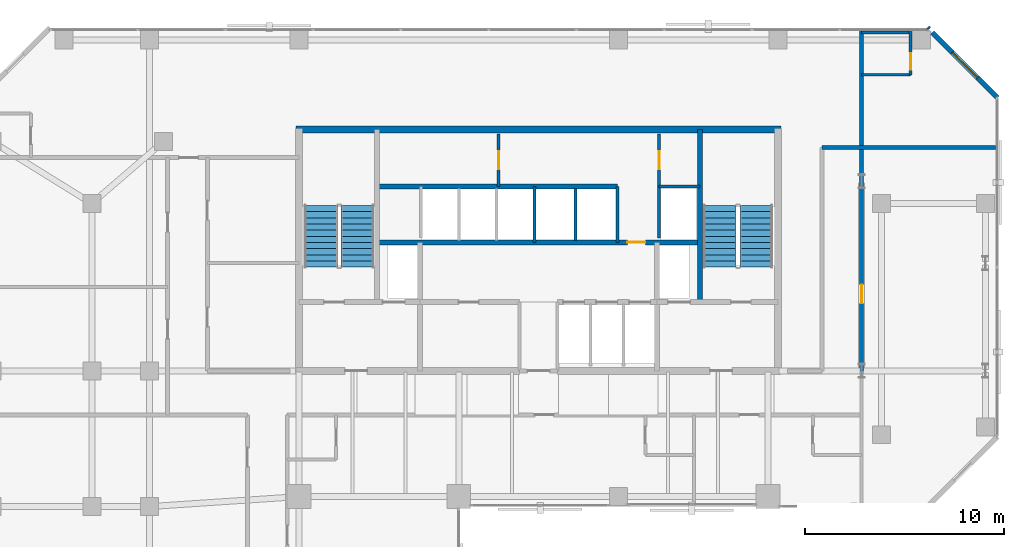
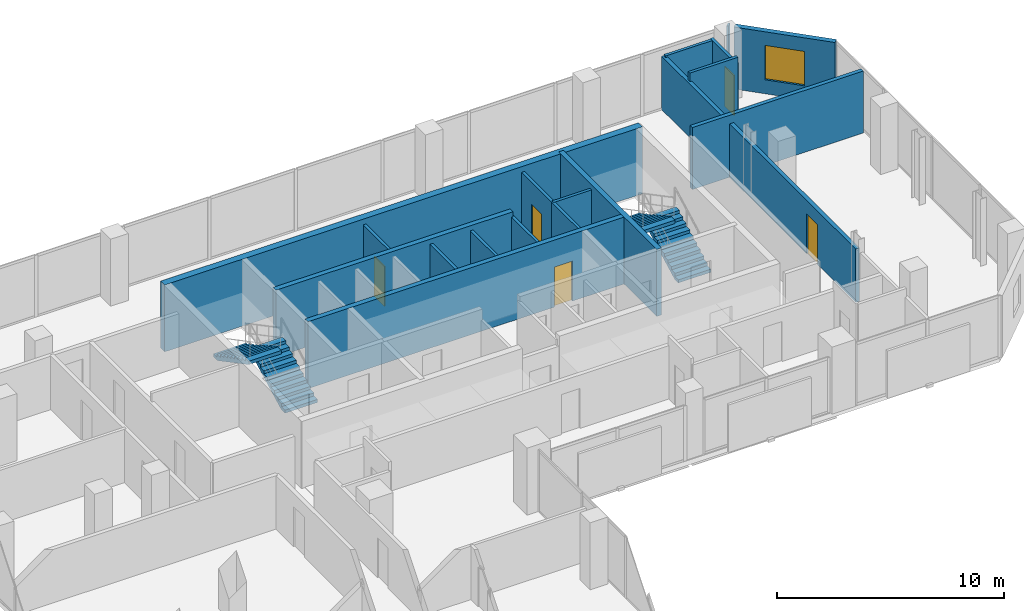
# One storey, part 30 of 33: 18 walls, 5 doors, 4 stair flights, 1 window, 6 openings, 2 elements without a shape of their own.
"""IFC4 building model written with IfcOpenShell, lengths in metres."""

from ifc_helpers import new_model, si_unit, direction, frame, frame_2d, origin, place, context, subcontext, project, spatial, polyline, rectangle, outline, extrude, material, layer, layer_set, type_object, element, fill, aggregate, save


model = new_model("IFC4")

# Units and contexts
model_context = context("Model", 3, precision=1e-05, world=origin(), true_north=direction((0.0, 1.0)))
body_context = subcontext(model_context, "Body", "Model", "MODEL_VIEW")
ifc_project = project(units=[si_unit("LENGTHUNIT", "METRE"), si_unit("AREAUNIT", "SQUARE_METRE"), si_unit("VOLUMEUNIT", "CUBIC_METRE"), si_unit("PLANEANGLEUNIT", "RADIAN"), si_unit("MASSUNIT", "GRAM", prefix="KILO")], contexts=[model_context])

# Site, building, storey
site_placement = place(None, origin())
site = spatial("IfcSite", under=ifc_project, at=site_placement, CompositionType="ELEMENT")
building_placement = place(site_placement, origin())
building = spatial("IfcBuilding", under=site, at=building_placement, Name="Catumbela Crestline Tower", CompositionType="ELEMENT")
storey_placement = place(building_placement, frame((0.0, 0.0, 100.8)))
storey = spatial("IfcBuildingStorey", under=building, at=storey_placement, Name="L25", CompositionType="ELEMENT", Elevation=100.8)

# Wall
ifc_material_1 = material(Name="Concrete C50/60", Category="concrete")
ifc_layer_1 = layer(ifc_material_1, 0.25, Name="Concrete C50/60")
ifc_layer_set_1 = layer_set([ifc_layer_1], Name="Concrete C50/60")
wall_type_1 = type_object("IfcWallType", Name="CW-250D", PredefinedType="SHEAR", material=ifc_layer_set_1)
wall_1_placement = place(storey_placement, frame((36.1, 34.25, 0.0), z_axis=(0.0, 0.0, 1.0), x_axis=(0.0, 1.0, 0.0)))
element("IfcWall", 1, at=wall_1_placement, inside=storey, type_object=wall_type_1, Name="L25 Structural Core Shear Wall EWEB", PredefinedType="SHEAR", context=body_context, shape_type="SweptSolid", body=[
    extrude(rectangle(XDim=8.65, YDim=0.25, at=frame_2d((4.325, 0.0))), origin(), (0.0, 0.0, 1.0), 3.6),
])

# Wall, opening, door
wall_2_placement = place(storey_placement, frame((19.9, 37.25, 0.0), z_axis=(0.0, 0.0, 1.0), x_axis=(1.0, 0.0, 0.0)))
wall_2 = element("IfcWall", 2, at=wall_2_placement, inside=storey, type_object=wall_type_1, Name="L25 Structural Core Shear Wall LIFTN", PredefinedType="SHEAR", context=body_context, shape_type="SweptSolid", body=[
    extrude(rectangle(XDim=16.2, YDim=0.25, at=frame_2d((8.1, 0.0))), origin(), (0.0, 0.0, 1.0), 3.6),
])
opening_1_placement = place(wall_2_placement, frame((12.55, 0.0, 0.0)))
opening_1 = element("IfcOpeningElement", 3, at=opening_1_placement, cuts=wall_2, Name="Opening DF9-090", PredefinedType="OPENING", context=body_context, shape_type="SweptSolid", body=[
    extrude(rectangle(XDim=0.9, YDim=2.15, at=frame_2d((0.45, 1.075))), frame((0.0, 0.135, 0.0), z_axis=(0.0, -1.0, 0.0), x_axis=(1.0, 0.0, 0.0)), (0.0, 0.0, 1.0), 0.27),
])
ifc_material_2 = material(Name="Stainless steel EN 1.4401", Category="steel")
door_type_1 = type_object("IfcDoorType", Name="DF9-090", OperationType="NOTDEFINED", PredefinedType="DOOR", material=ifc_material_2)
door_1_placement = place(opening_1_placement, origin())
door_1 = element("IfcDoor", 4, at=door_1_placement, inside=storey, type_object=door_type_1, Name="L25 Interior Door DR-L25-CPAS1", OperationType="SINGLE_SWING_LEFT", OverallHeight=2.15, OverallWidth=0.9, PredefinedType="DOOR", context=body_context, shape_type="SweptSolid", body=[
    extrude(rectangle(XDim=0.9, YDim=2.15, at=frame_2d((0.45, 1.075))), frame((0.0, 0.025, 0.0), z_axis=(0.0, -1.0, 0.0), x_axis=(1.0, 0.0, 0.0)), (0.0, 0.0, 1.0), 0.05),
])
fill(opening_1, door_1)

# Walls
wall_3_placement = place(storey_placement, frame((19.9, 40.05, 0.0), z_axis=(0.0, 0.0, 1.0), x_axis=(1.0, 0.0, 0.0)))
element("IfcWall", 5, at=wall_3_placement, inside=storey, type_object=wall_type_1, Name="L25 Structural Core Shear Wall COREN", PredefinedType="SHEAR", context=body_context, shape_type="SweptSolid", body=[
    extrude(rectangle(XDim=12.05, YDim=0.25, at=frame_2d((6.025, 0.0))), origin(), (0.0, 0.0, 1.0), 3.6),
])
ifc_layer_2 = layer(ifc_material_1, 0.35, Name="Concrete C50/60")
ifc_layer_set_2 = layer_set([ifc_layer_2], Name="Concrete C50/60")
wall_type_2 = type_object("IfcWallType", Name="CW-350B", PredefinedType="SHEAR", material=ifc_layer_set_2)
wall_4_placement = place(storey_placement, frame((15.85, 42.9, 0.0), z_axis=(0.0, 0.0, 1.0), x_axis=(1.0, 0.0, 0.0)))
element("IfcWall", 6, at=wall_4_placement, inside=storey, type_object=wall_type_2, Name="L25 Structural Core Shear Wall N", PredefinedType="SHEAR", context=body_context, shape_type="SweptSolid", body=[
    extrude(rectangle(XDim=24.3, YDim=0.35, at=frame_2d((12.15, 0.0))), origin(), (0.0, 0.0, 1.0), 3.6),
])
ifc_material_3 = material(Name="Acoustic gypsum and mineral-wool partition")
ifc_layer_3 = layer(ifc_material_3, 0.2, Name="Acoustic gypsum and mineral-wool partition")
ifc_layer_set_3 = layer_set([ifc_layer_3], Name="Acoustic gypsum and mineral-wool partition")
wall_type_3 = type_object("IfcWallType", Name="WC-200", PredefinedType="PARTITIONING", material=ifc_layer_set_3)
wall_5_placement = place(storey_placement, frame((42.2, 42.0, 0.0), z_axis=(0.0, 0.0, 1.0), x_axis=(1.0, 0.0, 0.0)))
element("IfcWall", 7, at=wall_5_placement, inside=storey, type_object=wall_type_3, Name="L25 Interior Partition PW-L25-Z2CW-E3", PredefinedType="PARTITIONING", context=body_context, shape_type="SweptSolid", body=[
    extrude(rectangle(XDim=8.7, YDim=0.2, at=frame_2d((4.35, 0.0))), origin(), (0.0, 0.0, 1.0), 3.33),
])

# Wall, opening, door
wall_6_placement = place(storey_placement, frame((44.2, 30.8, 0.0), z_axis=(0.0, 0.0, 1.0), x_axis=(0.0, 1.0, 0.0)))
wall_6 = element("IfcWall", 8, at=wall_6_placement, inside=storey, type_object=wall_type_3, Name="L25 Interior Partition PW-L25-SE1-ENT", PredefinedType="PARTITIONING", context=body_context, shape_type="SweptSolid", body=[
    extrude(rectangle(XDim=17.1, YDim=0.2, at=frame_2d((8.55, 0.0))), origin(), (0.0, 0.0, 1.0), 2.87),
])
opening_2_placement = place(wall_6_placement, frame((3.3825, 0.0, 0.0)))
opening_2 = element("IfcOpeningElement", 9, at=opening_2_placement, cuts=wall_6, Name="Opening DF6-095", PredefinedType="OPENING", context=body_context, shape_type="SweptSolid", body=[
    extrude(rectangle(XDim=0.95, YDim=2.15, at=frame_2d((0.475, 1.075))), frame((0.0, 0.11, 0.0), z_axis=(0.0, -1.0, 0.0), x_axis=(1.0, 0.0, 0.0)), (0.0, 0.0, 1.0), 0.22),
])
ifc_material_4 = material(Name="Aluminium alloy AW-6060-T66", Category="aluminium")
door_type_2 = type_object("IfcDoorType", Name="DF6-095", OperationType="NOTDEFINED", PredefinedType="DOOR", material=ifc_material_4)
door_2_placement = place(opening_2_placement, origin())
door_2 = element("IfcDoor", 10, at=door_2_placement, inside=storey, type_object=door_type_2, Name="L25 Interior Door DR-L25-SE1-ENT", OperationType="SINGLE_SWING_RIGHT", OverallHeight=2.15, OverallWidth=0.95, PredefinedType="DOOR", context=body_context, shape_type="SweptSolid", body=[
    extrude(rectangle(XDim=0.95, YDim=2.15, at=frame_2d((0.475, 1.075))), frame((0.0, 0.025, 0.0), z_axis=(0.0, -1.0, 0.0), x_axis=(1.0, 0.0, 0.0)), (0.0, 0.0, 1.0), 0.05),
])
fill(opening_2, door_2)

# Wall, opening, window
ifc_material_5 = material(Name="Angolan grey-ochre granite", Category="masonry")
ifc_layer_4 = layer(ifc_material_5, 0.25, Name="Angolan grey-ochre granite")
ifc_layer_set_4 = layer_set([ifc_layer_4], Name="Angolan grey-ochre granite")
wall_type_4 = type_object("IfcWallType", Name="WE-250", PredefinedType="STANDARD", material=ifc_layer_set_4)
wall_7_placement = place(storey_placement, frame((51.0, 44.5, 0.0), z_axis=(0.0, 0.0, 1.0), x_axis=(-0.707106781187, 0.707106781187, 0.0)))
wall_7 = element("IfcWall", 11, at=wall_7_placement, inside=storey, type_object=wall_type_4, Name="L25 Granite Punched Window Wall 6-1", PredefinedType="STANDARD", context=body_context, shape_type="SweptSolid", body=[
    extrude(rectangle(XDim=4.6126, YDim=0.25, at=frame_2d((2.3063, 0.0))), origin(), (0.0, 0.0, 1.0), 3.33),
])
opening_3_placement = place(wall_7_placement, frame((1.4063, 0.0, 0.75)))
opening_3 = element("IfcOpeningElement", 12, at=opening_3_placement, cuts=wall_7, Name="Opening WN-01", PredefinedType="OPENING", context=body_context, shape_type="SweptSolid", body=[
    extrude(rectangle(XDim=1.8, YDim=1.85, at=frame_2d((0.9, 0.925))), frame((0.0, 0.135, 0.0), z_axis=(0.0, -1.0, 0.0), x_axis=(1.0, 0.0, 0.0)), (0.0, 0.0, 1.0), 0.27),
])
ifc_material_6 = material(Name="Low-E laminated solar-control double glazing", Category="glass")
window_type = type_object("IfcWindowType", Name="WF-1800", PartitioningType="SINGLE_PANEL", PredefinedType="WINDOW", material=ifc_material_6)
window_placement = place(opening_3_placement, origin())
window = element("IfcWindow", 13, at=window_placement, inside=storey, type_object=window_type, Name="L25 Facade Vision Window 147", OverallHeight=1.85, OverallWidth=1.8, PartitioningType="SINGLE_PANEL", PredefinedType="WINDOW", context=body_context, shape_type="SweptSolid", body=[
    extrude(rectangle(XDim=1.8, YDim=1.85, at=frame_2d((0.9, 0.925))), frame((0.0, 0.03, 0.0), z_axis=(0.0, -1.0, 0.0), x_axis=(1.0, 0.0, 0.0)), (0.0, 0.0, 1.0), 0.06),
])
fill(opening_3, window)

# Walls
wall_8_placement = place(storey_placement, frame((47.5616, 47.9384, 0.0), z_axis=(0.0, 0.0, 1.0), x_axis=(-0.707106781187, 0.707106781187, 0.0)))
element("IfcWall", 14, at=wall_8_placement, inside=storey, type_object=wall_type_4, Name="L25 Granite Punched Window Wall 6-2", PredefinedType="STANDARD", context=body_context, shape_type="SweptSolid", body=[
    extrude(rectangle(XDim=0.0871, YDim=0.25, at=frame_2d((0.0436, 0.0))), origin(), (0.0, 0.0, 1.0), 3.33),
])
ifc_layer_5 = layer(ifc_material_3, 0.15, Name="Acoustic gypsum and mineral-wool partition")
ifc_layer_set_5 = layer_set([ifc_layer_5], Name="Acoustic gypsum and mineral-wool partition")
wall_type_5 = type_object("IfcWallType", Name="WP-150", PredefinedType="PARTITIONING", material=ifc_layer_set_5)
wall_9_placement = place(storey_placement, frame((34.05, 40.05, 0.0), z_axis=(0.0, 0.0, 1.0), x_axis=(1.0, 0.0, 0.0)))
element("IfcWall", 15, at=wall_9_placement, inside=storey, type_object=wall_type_5, Name="L25 Interior Partition PW-L25-CR-ES", PredefinedType="PARTITIONING", context=body_context, shape_type="SweptSolid", body=[
    extrude(rectangle(XDim=2.05, YDim=0.15, at=frame_2d((1.025, 0.0))), origin(), (0.0, 0.0, 1.0), 3.33),
])

# Wall, opening, door
wall_10_placement = place(storey_placement, frame((34.05, 40.05, 0.0), z_axis=(0.0, 0.0, 1.0), x_axis=(0.0, 1.0, 0.0)))
wall_10 = element("IfcWall", 16, at=wall_10_placement, inside=storey, type_object=wall_type_5, Name="L25 Interior Partition PW-L25-CR-EW", PredefinedType="PARTITIONING", context=body_context, shape_type="SweptSolid", body=[
    extrude(rectangle(XDim=2.63, YDim=0.15, at=frame_2d((1.315, 0.0))), origin(), (0.0, 0.0, 1.0), 3.33),
])
opening_4_placement = place(wall_10_placement, frame((0.865, 0.0, 0.0)))
opening_4 = element("IfcOpeningElement", 17, at=opening_4_placement, cuts=wall_10, Name="Opening DF9-090", PredefinedType="OPENING", context=body_context, shape_type="SweptSolid", body=[
    extrude(rectangle(XDim=0.9, YDim=2.15, at=frame_2d((0.45, 1.075))), frame((0.0, 0.085, 0.0), z_axis=(0.0, -1.0, 0.0), x_axis=(1.0, 0.0, 0.0)), (0.0, 0.0, 1.0), 0.17),
])
door_3_placement = place(opening_4_placement, origin())
door_3 = element("IfcDoor", 18, at=door_3_placement, inside=storey, type_object=door_type_1, Name="L25 Interior Door DR-L25-CREAST", OperationType="SINGLE_SWING_RIGHT", OverallHeight=2.15, OverallWidth=0.9, PredefinedType="DOOR", context=body_context, shape_type="SweptSolid", body=[
    extrude(rectangle(XDim=0.9, YDim=2.15, at=frame_2d((0.45, 1.075))), frame((0.0, 0.025, 0.0), z_axis=(0.0, -1.0, 0.0), x_axis=(1.0, 0.0, 0.0)), (0.0, 0.0, 1.0), 0.05),
])
fill(opening_4, door_3)

wall_11_placement = place(storey_placement, frame((26.0, 40.05, 0.0), z_axis=(0.0, 0.0, 1.0), x_axis=(0.0, 1.0, 0.0)))
wall_11 = element("IfcWall", 19, at=wall_11_placement, inside=storey, type_object=wall_type_5, Name="L25 Interior Partition PW-L25-CR-WW", PredefinedType="PARTITIONING", context=body_context, shape_type="SweptSolid", body=[
    extrude(rectangle(XDim=2.63, YDim=0.15, at=frame_2d((1.315, 0.0))), origin(), (0.0, 0.0, 1.0), 3.33),
])
opening_5_placement = place(wall_11_placement, frame((0.865, 0.0, 0.0)))
opening_5 = element("IfcOpeningElement", 20, at=opening_5_placement, cuts=wall_11, Name="Opening DF9-090", PredefinedType="OPENING", context=body_context, shape_type="SweptSolid", body=[
    extrude(rectangle(XDim=0.9, YDim=2.15, at=frame_2d((0.45, 1.075))), frame((0.0, 0.085, 0.0), z_axis=(0.0, -1.0, 0.0), x_axis=(1.0, 0.0, 0.0)), (0.0, 0.0, 1.0), 0.17),
])
door_4_placement = place(opening_5_placement, origin())
door_4 = element("IfcDoor", 21, at=door_4_placement, inside=storey, type_object=door_type_1, Name="L25 Interior Door DR-L25-CRWEST", OperationType="SINGLE_SWING_LEFT", OverallHeight=2.15, OverallWidth=0.9, PredefinedType="DOOR", context=body_context, shape_type="SweptSolid", body=[
    extrude(rectangle(XDim=0.9, YDim=2.15, at=frame_2d((0.45, 1.075))), frame((0.0, 0.025, 0.0), z_axis=(0.0, -1.0, 0.0), x_axis=(1.0, 0.0, 0.0)), (0.0, 0.0, 1.0), 0.05),
])
fill(opening_5, door_4)

# Wall
wall_12_placement = place(storey_placement, frame((44.2, 45.65, 0.0), z_axis=(0.0, 0.0, 1.0), x_axis=(1.0, 0.0, 0.0)))
element("IfcWall", 22, at=wall_12_placement, inside=storey, type_object=wall_type_5, Name="L25 Interior Partition PW-L25-SE1-BSW", PredefinedType="PARTITIONING", context=body_context, shape_type="SweptSolid", body=[
    extrude(rectangle(XDim=2.45, YDim=0.15, at=frame_2d((1.225, 0.0))), origin(), (0.0, 0.0, 1.0), 3.33),
])

# Wall, opening, door
wall_13_placement = place(storey_placement, frame((46.65, 45.65, 0.0), z_axis=(0.0, 0.0, 1.0), x_axis=(0.0, 1.0, 0.0)))
wall_13 = element("IfcWall", 23, at=wall_13_placement, inside=storey, type_object=wall_type_5, Name="L25 Interior Partition PW-L25-SE1-BEW", PredefinedType="PARTITIONING", context=body_context, shape_type="SweptSolid", body=[
    extrude(rectangle(XDim=2.25, YDim=0.15, at=frame_2d((1.125, 0.0))), origin(), (0.0, 0.0, 1.0), 2.96),
])
opening_6_placement = place(wall_13_placement, frame((0.24, 0.0, 0.0)))
opening_6 = element("IfcOpeningElement", 24, at=opening_6_placement, cuts=wall_13, Name="Opening DI-085", PredefinedType="OPENING", context=body_context, shape_type="SweptSolid", body=[
    extrude(rectangle(XDim=0.85, YDim=2.15, at=frame_2d((0.425, 1.075))), frame((0.0, 0.085, 0.0), z_axis=(0.0, -1.0, 0.0), x_axis=(1.0, 0.0, 0.0)), (0.0, 0.0, 1.0), 0.17),
])
door_type_3 = type_object("IfcDoorType", Name="DI-085", OperationType="NOTDEFINED", PredefinedType="DOOR", material=ifc_material_4)
door_5_placement = place(opening_6_placement, origin())
door_5 = element("IfcDoor", 25, at=door_5_placement, inside=storey, type_object=door_type_3, Name="L25 Interior Door DR-L25-SE1-BTH", OperationType="SINGLE_SWING_LEFT", OverallHeight=2.15, OverallWidth=0.85, PredefinedType="DOOR", context=body_context, shape_type="SweptSolid", body=[
    extrude(rectangle(XDim=0.85, YDim=2.15, at=frame_2d((0.425, 1.075))), frame((0.0, 0.025, 0.0), z_axis=(0.0, -1.0, 0.0), x_axis=(1.0, 0.0, 0.0)), (0.0, 0.0, 1.0), 0.05),
])
fill(opening_6, door_5)

# Walls
wall_14_placement = place(storey_placement, frame((44.2, 47.78, 0.0), z_axis=(0.0, 0.0, 1.0), x_axis=(1.0, 0.0, 0.0)))
element("IfcWall", 26, at=wall_14_placement, inside=storey, type_object=wall_type_5, Name="L25 Interior Partition PW-L25-SE1-BCL-2", PredefinedType="PARTITIONING", context=body_context, shape_type="SweptSolid", body=[
    extrude(rectangle(XDim=2.45, YDim=0.15, at=frame_2d((1.225, 0.0))), origin(), (0.0, 0.0, 1.0), 2.96),
])
ifc_layer_6 = layer(ifc_material_3, 0.15, Name="Acoustic gypsum and mineral-wool partition")
ifc_layer_set_6 = layer_set([ifc_layer_6], Name="Acoustic gypsum and mineral-wool partition")
wall_type_6 = type_object("IfcWallType", Name="WS-150", PredefinedType="PLUMBINGWALL", material=ifc_layer_set_6)
for number, where, z_axis, x_axis, name in (
    (27, (27.8, 37.25, 0.0), (0.0, 0.0, 1.0), (0.0, 1.0, 0.0), "L25 Interior Partition PW-L25-SHH3"),
    (28, (31.95, 37.25, 0.0), (0.0, 0.0, 1.0), (0.0, 1.0, 0.0), "L25 Interior Partition PW-L25-SHEX2E"),
):
    element("IfcWall", number, at=place(storey_placement, frame(where, z_axis=z_axis, x_axis=x_axis)), inside=storey, type_object=wall_type_6, Name=name, PredefinedType="PLUMBINGWALL", context=body_context, shape_type="SweptSolid", body=[
        extrude(rectangle(XDim=2.8, YDim=0.15, at=frame_2d((1.4, 0.0))), origin(), (0.0, 0.0, 1.0), 3.33),
    ])
wall_15_placement = place(storey_placement, frame((29.85, 37.35, 0.0), z_axis=(0.0, 0.0, 1.0), x_axis=(0.0, 1.0, 0.0)))
element("IfcWall", 29, at=wall_15_placement, inside=storey, type_object=wall_type_6, Name="L25 Interior Partition PW-L25-SHEX1", PredefinedType="PLUMBINGWALL", context=body_context, shape_type="SweptSolid", body=[
    extrude(rectangle(XDim=2.6, YDim=0.15, at=frame_2d((1.3, 0.0))), origin(), (0.0, 0.0, 1.0), 3.33),
])
wall_16_placement = place(storey_placement, frame((34.05, 37.4734, 0.0), z_axis=(0.0, 0.0, 1.0), x_axis=(0.0, 1.0, 0.0)))
element("IfcWall", 30, at=wall_16_placement, inside=storey, type_object=wall_type_6, Name="L25 Interior Partition PW-L25-RISW", PredefinedType="PLUMBINGWALL", context=body_context, shape_type="SweptSolid", body=[
    extrude(rectangle(XDim=2.5766, YDim=0.15, at=frame_2d((1.2883, 0.0))), origin(), (0.0, 0.0, 1.0), 3.33),
])

# Stair, stair flights
ifc_material_7 = material(Name="Concrete C45/55", Category="concrete")
stair_type = type_object("IfcStairType", Name="ST-DLG", PredefinedType="HALF_TURN_STAIR", material=ifc_material_7)
stair_1_placement = place(storey_placement, origin())
stair_1 = element("IfcStair", 31, at=stair_1_placement, inside=storey, type_object=stair_type, Name="L25 West Core Pressurised Exit Stair ST-01", PredefinedType="HALF_TURN_STAIR")
stair_flight_type = type_object("IfcStairFlightType", Name="SF-1636", PredefinedType="STRAIGHT", material=ifc_material_7)
stair_flight_1_placement = place(storey_placement, frame((18.92, 36.0, 0.0), z_axis=(0.0, 0.0, 1.0), x_axis=(0.0, 1.0, 0.0)))
stair_flight_1 = element("IfcStairFlight", 32, at=stair_flight_1_placement, type_object=stair_flight_type, Name="ST-01 flight 1", NumberOfRisers=11, NumberOfTreads=10, PredefinedType="STRAIGHT", RiserHeight=0.163636364, TreadLength=0.31, context=body_context, shape_type="SweptSolid", body=[
    extrude(outline(polyline([(0.0, 0.0), (0.0, 0.1636), (0.31, 0.1636), (0.31, 0.3273), (0.62, 0.3273), (0.62, 0.4909), (0.93, 0.4909), (0.93, 0.6545), (1.24, 0.6545), (1.24, 0.8182), (1.55, 0.8182), (1.55, 0.9818), (1.86, 0.9818), (1.86, 1.1455), (2.17, 1.1455), (2.17, 1.3091), (2.48, 1.3091), (2.48, 1.4727), (2.79, 1.4727), (2.79, 1.6364), (3.1, 1.6364), (3.1, 1.8), (3.1, 1.4554), (0.3427, 0.0), (0.0, 0.0)])), frame((0.0, 0.83, 0.0), z_axis=(0.0, -1.0, 0.0), x_axis=(1.0, 0.0, 0.0)), (0.0, 0.0, 1.0), 1.66),
])
stair_flight_2_placement = place(storey_placement, frame((17.08, 39.1, 1.8), z_axis=(0.0, 0.0, 1.0), x_axis=(0.0, -1.0, 0.0)))
stair_flight_2 = element("IfcStairFlight", 33, at=stair_flight_2_placement, type_object=stair_flight_type, Name="ST-01 flight 2", NumberOfRisers=11, NumberOfTreads=10, PredefinedType="STRAIGHT", RiserHeight=0.163636364, TreadLength=0.31, context=body_context, shape_type="SweptSolid", body=[
    extrude(outline(polyline([(0.0, 0.0), (0.0, 0.1636), (0.31, 0.1636), (0.31, 0.3273), (0.62, 0.3273), (0.62, 0.4909), (0.93, 0.4909), (0.93, 0.6545), (1.24, 0.6545), (1.24, 0.8182), (1.55, 0.8182), (1.55, 0.9818), (1.86, 0.9818), (1.86, 1.1455), (2.17, 1.1455), (2.17, 1.3091), (2.48, 1.3091), (2.48, 1.4727), (2.79, 1.4727), (2.79, 1.6364), (3.1, 1.6364), (3.1, 1.8), (3.1, 1.4554), (0.3427, 0.0), (0.0, 0.0)])), frame((0.0, 0.83, 0.0), z_axis=(0.0, -1.0, 0.0), x_axis=(1.0, 0.0, 0.0)), (0.0, 0.0, 1.0), 1.66),
])
aggregate(stair_1, [stair_flight_1, stair_flight_2])

stair_2_placement = place(storey_placement, origin())
stair_2 = element("IfcStair", 34, at=stair_2_placement, inside=storey, type_object=stair_type, Name="L25 East Core Pressurised Exit Stair ST-02", PredefinedType="HALF_TURN_STAIR")
stair_flight_3_placement = place(storey_placement, frame((38.92, 36.0, 0.0), z_axis=(0.0, 0.0, 1.0), x_axis=(0.0, 1.0, 0.0)))
stair_flight_3 = element("IfcStairFlight", 35, at=stair_flight_3_placement, type_object=stair_flight_type, Name="ST-02 flight 1", NumberOfRisers=11, NumberOfTreads=10, PredefinedType="STRAIGHT", RiserHeight=0.163636364, TreadLength=0.31, context=body_context, shape_type="SweptSolid", body=[
    extrude(outline(polyline([(0.0, 0.0), (0.0, 0.1636), (0.31, 0.1636), (0.31, 0.3273), (0.62, 0.3273), (0.62, 0.4909), (0.93, 0.4909), (0.93, 0.6545), (1.24, 0.6545), (1.24, 0.8182), (1.55, 0.8182), (1.55, 0.9818), (1.86, 0.9818), (1.86, 1.1455), (2.17, 1.1455), (2.17, 1.3091), (2.48, 1.3091), (2.48, 1.4727), (2.79, 1.4727), (2.79, 1.6364), (3.1, 1.6364), (3.1, 1.8), (3.1, 1.4554), (0.3427, 0.0), (0.0, 0.0)])), frame((0.0, 0.83, 0.0), z_axis=(0.0, -1.0, 0.0), x_axis=(1.0, 0.0, 0.0)), (0.0, 0.0, 1.0), 1.66),
])
stair_flight_4_placement = place(storey_placement, frame((37.08, 39.1, 1.8), z_axis=(0.0, 0.0, 1.0), x_axis=(0.0, -1.0, 0.0)))
stair_flight_4 = element("IfcStairFlight", 36, at=stair_flight_4_placement, type_object=stair_flight_type, Name="ST-02 flight 2", NumberOfRisers=11, NumberOfTreads=10, PredefinedType="STRAIGHT", RiserHeight=0.163636364, TreadLength=0.31, context=body_context, shape_type="SweptSolid", body=[
    extrude(outline(polyline([(0.0, 0.0), (0.0, 0.1636), (0.31, 0.1636), (0.31, 0.3273), (0.62, 0.3273), (0.62, 0.4909), (0.93, 0.4909), (0.93, 0.6545), (1.24, 0.6545), (1.24, 0.8182), (1.55, 0.8182), (1.55, 0.9818), (1.86, 0.9818), (1.86, 1.1455), (2.17, 1.1455), (2.17, 1.3091), (2.48, 1.3091), (2.48, 1.4727), (2.79, 1.4727), (2.79, 1.6364), (3.1, 1.6364), (3.1, 1.8), (3.1, 1.4554), (0.3427, 0.0), (0.0, 0.0)])), frame((0.0, 0.83, 0.0), z_axis=(0.0, -1.0, 0.0), x_axis=(1.0, 0.0, 0.0)), (0.0, 0.0, 1.0), 1.66),
])
aggregate(stair_2, [stair_flight_3, stair_flight_4])

save(model, "model.ifc")
